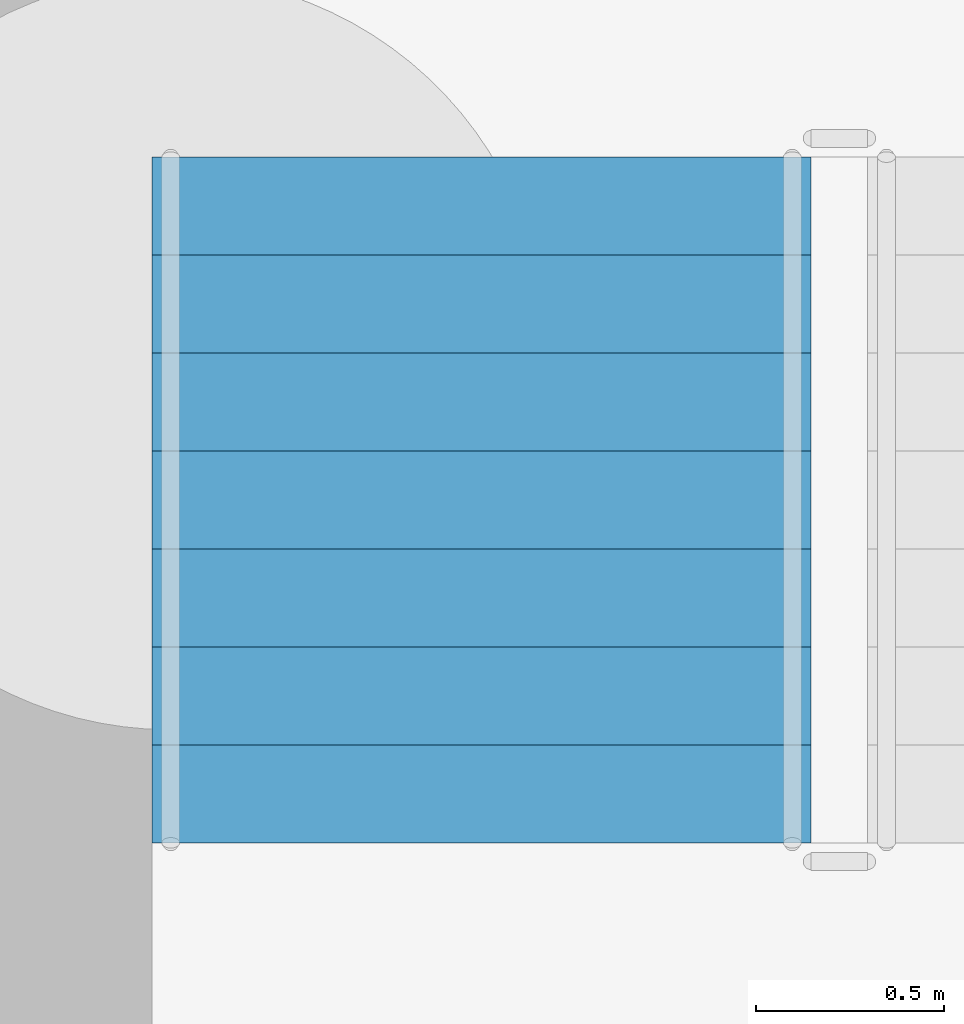
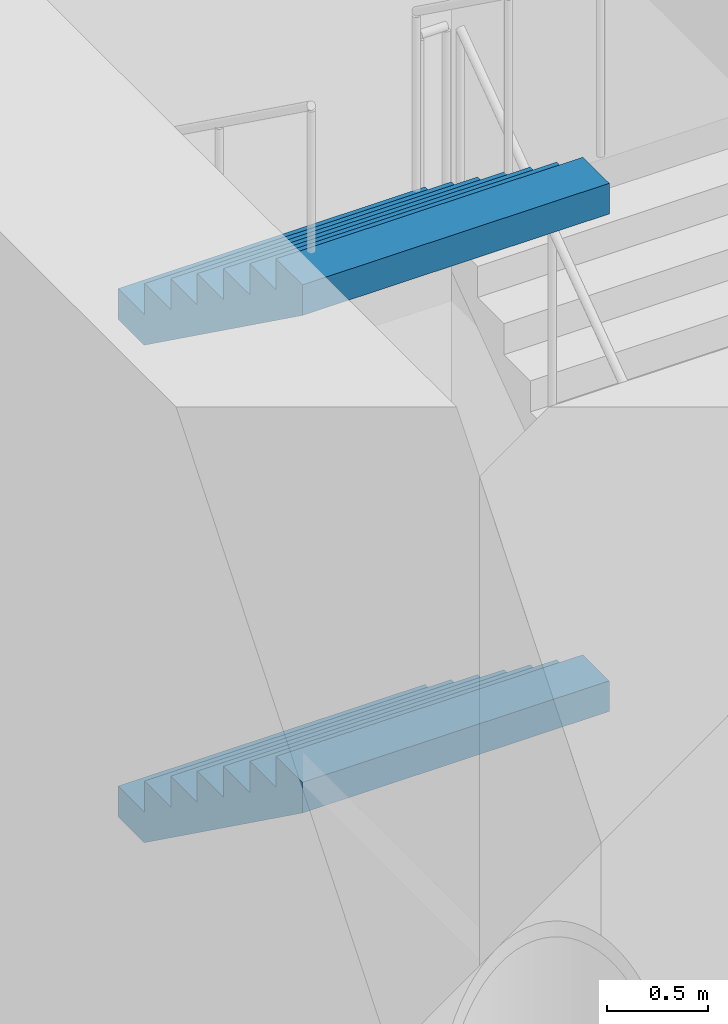
# One storey, part 58 of 75: 2 stair flights, 1 element without a shape of its own.
"""IFC4 building model written with IfcOpenShell, lengths in metres."""

from ifc_helpers import new_model, si_unit, direction, frame, origin, place, context, subcontext, project, spatial, faceted_brep, material, type_object, element, aggregate, save


model = new_model("IFC4")

# Units and contexts
model_context = context("Model", 3, precision=1e-05, world=origin(), true_north=direction((0.0, 1.0)))
body_context = subcontext(model_context, "Body", "Model", "MODEL_VIEW")
ifc_project = project(units=[si_unit("LENGTHUNIT", "METRE"), si_unit("AREAUNIT", "SQUARE_METRE"), si_unit("VOLUMEUNIT", "CUBIC_METRE"), si_unit("PLANEANGLEUNIT", "RADIAN"), si_unit("MASSUNIT", "GRAM", prefix="KILO")], contexts=[model_context])

# Site, building, storey
site_placement = place(None, origin())
site = spatial("IfcSite", under=ifc_project, at=site_placement, CompositionType="ELEMENT")
building_placement = place(site_placement, origin())
building = spatial("IfcBuilding", under=site, at=building_placement, Name="Ipe Terrace Towers", CompositionType="ELEMENT")
storey_placement = place(building_placement, origin())
storey = spatial("IfcBuildingStorey", under=building, at=storey_placement, Name="L00", CompositionType="ELEMENT", Elevation=0.0)

# Stair, stair flights
ifc_material_1 = material(Name="Concrete C30/37", Category="concrete")
stair_type = type_object("IfcStairType", Name="Protected exit stair", PredefinedType="HALF_TURN_STAIR", material=ifc_material_1)
stair_placement = place(storey_placement, origin())
stair = element("IfcStair", 1, at=stair_placement, inside=storey, type_object=stair_type, Name="L00 Exit stair T2-C1", PredefinedType="HALF_TURN_STAIR")
ifc_material_2 = material(Name="Concrete C30/37", Category="concrete")
stair_flight_type = type_object("IfcStairFlightType", Name="Exit stair flight 1750", PredefinedType="STRAIGHT", material=ifc_material_2)
stair_flight_1_placement = place(storey_placement, frame((31.324951171875, 11.52001953125, 1.5), z_axis=(0.0, 0.0, 1.0), x_axis=(0.0, -1.0, 0.0)))
stair_flight_1 = element("IfcStairFlight", 2, at=stair_flight_1_placement, type_object=stair_flight_type, Name="T2-ST1 flight 2", NumberOfRisers=8, NumberOfTreads=7, PredefinedType="STRAIGHT", RiserHeight=0.1875, TreadLength=0.26, context=body_context, shape_type="Brep", body=[
    faceted_brep([(0.25634765625, -0.875, 0.0), (1.820068359375, -0.875, 1.127685546875), (1.820068359375, -0.875, 1.3125), (1.56005859375, -0.875, 1.3125), (1.56005859375, -0.875, 1.125), (1.300048828125, -0.875, 1.125), (1.300048828125, -0.875, 0.9375), (1.0400390625, -0.875, 0.9375), (1.0400390625, -0.875, 0.75), (0.780029296875, -0.875, 0.75), (0.780029296875, -0.875, 0.5625), (0.52001953125, -0.875, 0.5625), (0.52001953125, -0.875, 0.375), (0.260009765625, -0.875, 0.375), (0.260009765625, -0.875, 0.1875), (0.0, -0.875, 0.1875), (0.0, -0.875, 0.0), (0.0, 0.875, 0.0), (0.0, 0.875, 0.1875), (0.260009765625, 0.875, 0.1875), (0.260009765625, 0.875, 0.375), (0.52001953125, 0.875, 0.375), (0.52001953125, 0.875, 0.5625), (0.780029296875, 0.875, 0.5625), (0.780029296875, 0.875, 0.75), (1.0400390625, 0.875, 0.75), (1.0400390625, 0.875, 0.9375), (1.300048828125, 0.875, 0.9375), (1.300048828125, 0.875, 1.125), (1.56005859375, 0.875, 1.125), (1.56005859375, 0.875, 1.3125), (1.820068359375, 0.875, 1.3125), (1.820068359375, 0.875, 1.127685546875), (0.25634765625, 0.875, 0.0), (0.0, -0.300048828125, 0.1875), (0.0, -0.1201171875, 0.1875), (0.0, -0.06005859375, 0.1875), (0.0, -0.030029296875, 0.1875), (0.0, -0.010009765625, 0.1875), (0.0, 0.0, 0.1875), (0.0, 0.010009765625, 0.1875), (0.0, 0.030029296875, 0.1875), (0.0, 0.06005859375, 0.1875), (0.0, 0.1201171875, 0.1875), (0.0, 0.300048828125, 0.1875), (0.0, 0.300048828125, 0.0), (0.0, 0.1201171875, 0.0), (0.0, 0.06005859375, 0.0), (0.0, 0.030029296875, 0.0), (0.0, 0.010009765625, 0.0), (0.0, 0.0, 0.0), (0.0, -0.010009765625, 0.0), (0.0, -0.030029296875, 0.0), (0.0, -0.06005859375, 0.0), (0.0, -0.1201171875, 0.0), (0.0, -0.300048828125, 0.0), (0.260009765625, -0.300048828125, 0.1875), (0.260009765625, -0.1201171875, 0.1875), (0.260009765625, -0.06005859375, 0.1875), (0.260009765625, -0.030029296875, 0.1875), (0.260009765625, -0.010009765625, 0.1875), (0.260009765625, 0.0, 0.1875), (0.260009765625, 0.010009765625, 0.1875), (0.260009765625, 0.030029296875, 0.1875), (0.260009765625, 0.06005859375, 0.1875), (0.260009765625, 0.1201171875, 0.1875), (0.260009765625, 0.300048828125, 0.1875), (0.260009765625, -0.300048828125, 0.375), (0.260009765625, -0.1201171875, 0.375), (0.260009765625, -0.06005859375, 0.375), (0.260009765625, -0.030029296875, 0.375), (0.260009765625, -0.010009765625, 0.375), (0.260009765625, 0.0, 0.375), (0.260009765625, 0.010009765625, 0.375), (0.260009765625, 0.030029296875, 0.375), (0.260009765625, 0.06005859375, 0.375), (0.260009765625, 0.1201171875, 0.375), (0.260009765625, 0.300048828125, 0.375), (0.52001953125, -0.300048828125, 0.375), (0.52001953125, -0.1201171875, 0.375), (0.52001953125, -0.06005859375, 0.375), (0.52001953125, -0.030029296875, 0.375), (0.52001953125, -0.010009765625, 0.375), (0.52001953125, 0.0, 0.375), (0.52001953125, 0.010009765625, 0.375), (0.52001953125, 0.030029296875, 0.375), (0.52001953125, 0.06005859375, 0.375), (0.52001953125, 0.1201171875, 0.375), (0.52001953125, 0.300048828125, 0.375), (0.52001953125, -0.300048828125, 0.5625), (0.52001953125, -0.1201171875, 0.5625), (0.52001953125, -0.06005859375, 0.5625), (0.52001953125, -0.030029296875, 0.5625), (0.52001953125, -0.010009765625, 0.5625), (0.52001953125, 0.0, 0.5625), (0.52001953125, 0.010009765625, 0.5625), (0.52001953125, 0.030029296875, 0.5625), (0.52001953125, 0.06005859375, 0.5625), (0.52001953125, 0.1201171875, 0.5625), (0.52001953125, 0.300048828125, 0.5625), (0.780029296875, -0.300048828125, 0.5625), (0.780029296875, -0.1201171875, 0.5625), (0.780029296875, -0.06005859375, 0.5625), (0.780029296875, -0.030029296875, 0.5625), (0.780029296875, -0.010009765625, 0.5625), (0.780029296875, 0.0, 0.5625), (0.780029296875, 0.010009765625, 0.5625), (0.780029296875, 0.030029296875, 0.5625), (0.780029296875, 0.06005859375, 0.5625), (0.780029296875, 0.1201171875, 0.5625), (0.780029296875, 0.300048828125, 0.5625), (0.780029296875, -0.300048828125, 0.75), (0.780029296875, -0.1201171875, 0.75), (0.780029296875, -0.06005859375, 0.75), (0.780029296875, -0.030029296875, 0.75), (0.780029296875, -0.010009765625, 0.75), (0.780029296875, 0.0, 0.75), (0.780029296875, 0.010009765625, 0.75), (0.780029296875, 0.030029296875, 0.75), (0.780029296875, 0.06005859375, 0.75), (0.780029296875, 0.1201171875, 0.75), (0.780029296875, 0.300048828125, 0.75), (1.0400390625, -0.300048828125, 0.75), (1.0400390625, -0.1201171875, 0.75), (1.0400390625, -0.06005859375, 0.75), (1.0400390625, -0.030029296875, 0.75), (1.0400390625, -0.010009765625, 0.75), (1.0400390625, 0.0, 0.75), (1.0400390625, 0.010009765625, 0.75), (1.0400390625, 0.030029296875, 0.75), (1.0400390625, 0.06005859375, 0.75), (1.0400390625, 0.1201171875, 0.75), (1.0400390625, 0.300048828125, 0.75), (1.0400390625, -0.300048828125, 0.9375), (1.0400390625, -0.1201171875, 0.9375), (1.0400390625, -0.06005859375, 0.9375), (1.0400390625, -0.030029296875, 0.9375), (1.0400390625, -0.010009765625, 0.9375), (1.0400390625, 0.0, 0.9375), (1.0400390625, 0.010009765625, 0.9375), (1.0400390625, 0.030029296875, 0.9375), (1.0400390625, 0.06005859375, 0.9375), (1.0400390625, 0.1201171875, 0.9375), (1.0400390625, 0.300048828125, 0.9375), (1.300048828125, -0.300048828125, 0.9375), (1.300048828125, -0.1201171875, 0.9375), (1.300048828125, -0.06005859375, 0.9375), (1.300048828125, -0.030029296875, 0.9375), (1.300048828125, -0.010009765625, 0.9375), (1.300048828125, 0.0, 0.9375), (1.300048828125, 0.010009765625, 0.9375), (1.300048828125, 0.030029296875, 0.9375), (1.300048828125, 0.06005859375, 0.9375), (1.300048828125, 0.1201171875, 0.9375), (1.300048828125, 0.300048828125, 0.9375), (1.300048828125, -0.300048828125, 1.125), (1.300048828125, -0.1201171875, 1.125), (1.300048828125, -0.06005859375, 1.125), (1.300048828125, -0.030029296875, 1.125), (1.300048828125, -0.010009765625, 1.125), (1.300048828125, 0.0, 1.125), (1.300048828125, 0.010009765625, 1.125), (1.300048828125, 0.030029296875, 1.125), (1.300048828125, 0.06005859375, 1.125), (1.300048828125, 0.1201171875, 1.125), (1.300048828125, 0.300048828125, 1.125), (1.56005859375, -0.300048828125, 1.125), (1.56005859375, -0.1201171875, 1.125), (1.56005859375, -0.06005859375, 1.125), (1.56005859375, -0.030029296875, 1.125), (1.56005859375, -0.010009765625, 1.125), (1.56005859375, 0.0, 1.125), (1.56005859375, 0.010009765625, 1.125), (1.56005859375, 0.030029296875, 1.125), (1.56005859375, 0.06005859375, 1.125), (1.56005859375, 0.1201171875, 1.125), (1.56005859375, 0.300048828125, 1.125), (1.56005859375, -0.300048828125, 1.3125), (1.56005859375, -0.1201171875, 1.3125), (1.56005859375, -0.06005859375, 1.3125), (1.56005859375, -0.030029296875, 1.3125), (1.56005859375, -0.010009765625, 1.3125), (1.56005859375, 0.0, 1.3125), (1.56005859375, 0.010009765625, 1.3125), (1.56005859375, 0.030029296875, 1.3125), (1.56005859375, 0.06005859375, 1.3125), (1.56005859375, 0.1201171875, 1.3125), (1.56005859375, 0.300048828125, 1.3125), (1.820068359375, -0.300048828125, 1.3125), (1.820068359375, -0.1201171875, 1.3125), (1.820068359375, -0.06005859375, 1.3125), (1.820068359375, -0.030029296875, 1.3125), (1.820068359375, -0.010009765625, 1.3125), (1.820068359375, 0.0, 1.3125), (1.820068359375, 0.010009765625, 1.3125), (1.820068359375, 0.030029296875, 1.3125), (1.820068359375, 0.06005859375, 1.3125), (1.820068359375, 0.1201171875, 1.3125), (1.820068359375, 0.300048828125, 1.3125), (1.820068359375, -0.300048828125, 1.127685546875), (1.820068359375, -0.1201171875, 1.127685546875), (1.820068359375, -0.06005859375, 1.127685546875), (1.820068359375, -0.030029296875, 1.127685546875), (1.820068359375, -0.010009765625, 1.127685546875), (1.820068359375, 0.0, 1.127685546875), (1.820068359375, 0.010009765625, 1.127685546875), (1.820068359375, 0.030029296875, 1.127685546875), (1.820068359375, 0.06005859375, 1.127685546875), (1.820068359375, 0.1201171875, 1.127685546875), (1.820068359375, 0.300048828125, 1.127685546875), (0.25634765625, -0.300048828125, 0.0), (0.25634765625, -0.1201171875, 0.0), (0.25634765625, -0.06005859375, 0.0), (0.25634765625, -0.030029296875, 0.0), (0.25634765625, -0.010009765625, 0.0), (0.25634765625, 0.0, 0.0), (0.25634765625, 0.010009765625, 0.0), (0.25634765625, 0.030029296875, 0.0), (0.25634765625, 0.06005859375, 0.0), (0.25634765625, 0.1201171875, 0.0), (0.25634765625, 0.300048828125, 0.0)], [[[0, 1, 2, 3, 4, 5, 6, 7, 8, 9, 10, 11, 12, 13, 14, 15, 16]], [[17, 18, 19, 20, 21, 22, 23, 24, 25, 26, 27, 28, 29, 30, 31, 32, 33]], [[15, 34, 35, 36, 37, 38, 39, 40, 41, 42, 43, 44, 18, 17, 45, 46, 47, 48, 49, 50, 51, 52, 53, 54, 55, 16]], [[14, 56, 57, 58, 59, 60, 61, 62, 63, 64, 65, 66, 19, 18, 44, 43, 42, 41, 40, 39, 38, 37, 36, 35, 34, 15]], [[13, 67, 68, 69, 70, 71, 72, 73, 74, 75, 76, 77, 20, 19, 66, 65, 64, 63, 62, 61, 60, 59, 58, 57, 56, 14]], [[12, 78, 79, 80, 81, 82, 83, 84, 85, 86, 87, 88, 21, 20, 77, 76, 75, 74, 73, 72, 71, 70, 69, 68, 67, 13]], [[11, 89, 90, 91, 92, 93, 94, 95, 96, 97, 98, 99, 22, 21, 88, 87, 86, 85, 84, 83, 82, 81, 80, 79, 78, 12]], [[10, 100, 101, 102, 103, 104, 105, 106, 107, 108, 109, 110, 23, 22, 99, 98, 97, 96, 95, 94, 93, 92, 91, 90, 89, 11]], [[9, 111, 112, 113, 114, 115, 116, 117, 118, 119, 120, 121, 24, 23, 110, 109, 108, 107, 106, 105, 104, 103, 102, 101, 100, 10]], [[8, 122, 123, 124, 125, 126, 127, 128, 129, 130, 131, 132, 25, 24, 121, 120, 119, 118, 117, 116, 115, 114, 113, 112, 111, 9]], [[7, 133, 134, 135, 136, 137, 138, 139, 140, 141, 142, 143, 26, 25, 132, 131, 130, 129, 128, 127, 126, 125, 124, 123, 122, 8]], [[6, 144, 145, 146, 147, 148, 149, 150, 151, 152, 153, 154, 27, 26, 143, 142, 141, 140, 139, 138, 137, 136, 135, 134, 133, 7]], [[5, 155, 156, 157, 158, 159, 160, 161, 162, 163, 164, 165, 28, 27, 154, 153, 152, 151, 150, 149, 148, 147, 146, 145, 144, 6]], [[4, 166, 167, 168, 169, 170, 171, 172, 173, 174, 175, 176, 29, 28, 165, 164, 163, 162, 161, 160, 159, 158, 157, 156, 155, 5]], [[3, 177, 178, 179, 180, 181, 182, 183, 184, 185, 186, 187, 30, 29, 176, 175, 174, 173, 172, 171, 170, 169, 168, 167, 166, 4]], [[2, 188, 189, 190, 191, 192, 193, 194, 195, 196, 197, 198, 31, 30, 187, 186, 185, 184, 183, 182, 181, 180, 179, 178, 177, 3]], [[1, 199, 200, 201, 202, 203, 204, 205, 206, 207, 208, 209, 32, 31, 198, 197, 196, 195, 194, 193, 192, 191, 190, 189, 188, 2]], [[0, 210, 211, 212, 213, 214, 215, 216, 217, 218, 219, 220, 33, 32, 209, 208, 207, 206, 205, 204, 203, 202, 201, 200, 199, 1]], [[16, 55, 54, 53, 52, 51, 50, 49, 48, 47, 46, 45, 17, 33, 220, 219, 218, 217, 216, 215, 214, 213, 212, 211, 210, 0]]]),
])
stair_flight_2_placement = place(storey_placement, frame((31.324951171875, 11.52001953125, 4.5), z_axis=(0.0, 0.0, 1.0), x_axis=(0.0, -1.0, 0.0)))
stair_flight_2 = element("IfcStairFlight", 3, at=stair_flight_2_placement, type_object=stair_flight_type, Name="T2-ST1 flight 4", NumberOfRisers=8, NumberOfTreads=7, PredefinedType="STRAIGHT", RiserHeight=0.1875, TreadLength=0.26, context=body_context, shape_type="Brep", body=[
    faceted_brep([(0.25634765625, -0.875, 0.0), (1.820068359375, -0.875, 1.127685546875), (1.820068359375, -0.875, 1.3125), (1.56005859375, -0.875, 1.3125), (1.56005859375, -0.875, 1.125), (1.300048828125, -0.875, 1.125), (1.300048828125, -0.875, 0.9375), (1.0400390625, -0.875, 0.9375), (1.0400390625, -0.875, 0.75), (0.780029296875, -0.875, 0.75), (0.780029296875, -0.875, 0.5625), (0.52001953125, -0.875, 0.5625), (0.52001953125, -0.875, 0.375), (0.260009765625, -0.875, 0.375), (0.260009765625, -0.875, 0.1875), (0.0, -0.875, 0.1875), (0.0, -0.875, 0.0), (0.0, 0.875, 0.0), (0.0, 0.875, 0.1875), (0.260009765625, 0.875, 0.1875), (0.260009765625, 0.875, 0.375), (0.52001953125, 0.875, 0.375), (0.52001953125, 0.875, 0.5625), (0.780029296875, 0.875, 0.5625), (0.780029296875, 0.875, 0.75), (1.0400390625, 0.875, 0.75), (1.0400390625, 0.875, 0.9375), (1.300048828125, 0.875, 0.9375), (1.300048828125, 0.875, 1.125), (1.56005859375, 0.875, 1.125), (1.56005859375, 0.875, 1.3125), (1.820068359375, 0.875, 1.3125), (1.820068359375, 0.875, 1.127685546875), (0.25634765625, 0.875, 0.0), (0.0, -0.300048828125, 0.1875), (0.0, -0.1201171875, 0.1875), (0.0, -0.06005859375, 0.1875), (0.0, -0.030029296875, 0.1875), (0.0, -0.010009765625, 0.1875), (0.0, 0.0, 0.1875), (0.0, 0.010009765625, 0.1875), (0.0, 0.030029296875, 0.1875), (0.0, 0.06005859375, 0.1875), (0.0, 0.1201171875, 0.1875), (0.0, 0.300048828125, 0.1875), (0.0, 0.300048828125, 0.0), (0.0, 0.1201171875, 0.0), (0.0, 0.06005859375, 0.0), (0.0, 0.030029296875, 0.0), (0.0, 0.010009765625, 0.0), (0.0, 0.0, 0.0), (0.0, -0.010009765625, 0.0), (0.0, -0.030029296875, 0.0), (0.0, -0.06005859375, 0.0), (0.0, -0.1201171875, 0.0), (0.0, -0.300048828125, 0.0), (0.260009765625, -0.300048828125, 0.1875), (0.260009765625, -0.1201171875, 0.1875), (0.260009765625, -0.06005859375, 0.1875), (0.260009765625, -0.030029296875, 0.1875), (0.260009765625, -0.010009765625, 0.1875), (0.260009765625, 0.0, 0.1875), (0.260009765625, 0.010009765625, 0.1875), (0.260009765625, 0.030029296875, 0.1875), (0.260009765625, 0.06005859375, 0.1875), (0.260009765625, 0.1201171875, 0.1875), (0.260009765625, 0.300048828125, 0.1875), (0.260009765625, -0.300048828125, 0.375), (0.260009765625, -0.1201171875, 0.375), (0.260009765625, -0.06005859375, 0.375), (0.260009765625, -0.030029296875, 0.375), (0.260009765625, -0.010009765625, 0.375), (0.260009765625, 0.0, 0.375), (0.260009765625, 0.010009765625, 0.375), (0.260009765625, 0.030029296875, 0.375), (0.260009765625, 0.06005859375, 0.375), (0.260009765625, 0.1201171875, 0.375), (0.260009765625, 0.300048828125, 0.375), (0.52001953125, -0.300048828125, 0.375), (0.52001953125, -0.1201171875, 0.375), (0.52001953125, -0.06005859375, 0.375), (0.52001953125, -0.030029296875, 0.375), (0.52001953125, -0.010009765625, 0.375), (0.52001953125, 0.0, 0.375), (0.52001953125, 0.010009765625, 0.375), (0.52001953125, 0.030029296875, 0.375), (0.52001953125, 0.06005859375, 0.375), (0.52001953125, 0.1201171875, 0.375), (0.52001953125, 0.300048828125, 0.375), (0.52001953125, -0.300048828125, 0.5625), (0.52001953125, -0.1201171875, 0.5625), (0.52001953125, -0.06005859375, 0.5625), (0.52001953125, -0.030029296875, 0.5625), (0.52001953125, -0.010009765625, 0.5625), (0.52001953125, 0.0, 0.5625), (0.52001953125, 0.010009765625, 0.5625), (0.52001953125, 0.030029296875, 0.5625), (0.52001953125, 0.06005859375, 0.5625), (0.52001953125, 0.1201171875, 0.5625), (0.52001953125, 0.300048828125, 0.5625), (0.780029296875, -0.300048828125, 0.5625), (0.780029296875, -0.1201171875, 0.5625), (0.780029296875, -0.06005859375, 0.5625), (0.780029296875, -0.030029296875, 0.5625), (0.780029296875, -0.010009765625, 0.5625), (0.780029296875, 0.0, 0.5625), (0.780029296875, 0.010009765625, 0.5625), (0.780029296875, 0.030029296875, 0.5625), (0.780029296875, 0.06005859375, 0.5625), (0.780029296875, 0.1201171875, 0.5625), (0.780029296875, 0.300048828125, 0.5625), (0.780029296875, -0.300048828125, 0.75), (0.780029296875, -0.1201171875, 0.75), (0.780029296875, -0.06005859375, 0.75), (0.780029296875, -0.030029296875, 0.75), (0.780029296875, -0.010009765625, 0.75), (0.780029296875, 0.0, 0.75), (0.780029296875, 0.010009765625, 0.75), (0.780029296875, 0.030029296875, 0.75), (0.780029296875, 0.06005859375, 0.75), (0.780029296875, 0.1201171875, 0.75), (0.780029296875, 0.300048828125, 0.75), (1.0400390625, -0.300048828125, 0.75), (1.0400390625, -0.1201171875, 0.75), (1.0400390625, -0.06005859375, 0.75), (1.0400390625, -0.030029296875, 0.75), (1.0400390625, -0.010009765625, 0.75), (1.0400390625, 0.0, 0.75), (1.0400390625, 0.010009765625, 0.75), (1.0400390625, 0.030029296875, 0.75), (1.0400390625, 0.06005859375, 0.75), (1.0400390625, 0.1201171875, 0.75), (1.0400390625, 0.300048828125, 0.75), (1.0400390625, -0.300048828125, 0.9375), (1.0400390625, -0.1201171875, 0.9375), (1.0400390625, -0.06005859375, 0.9375), (1.0400390625, -0.030029296875, 0.9375), (1.0400390625, -0.010009765625, 0.9375), (1.0400390625, 0.0, 0.9375), (1.0400390625, 0.010009765625, 0.9375), (1.0400390625, 0.030029296875, 0.9375), (1.0400390625, 0.06005859375, 0.9375), (1.0400390625, 0.1201171875, 0.9375), (1.0400390625, 0.300048828125, 0.9375), (1.300048828125, -0.300048828125, 0.9375), (1.300048828125, -0.1201171875, 0.9375), (1.300048828125, -0.06005859375, 0.9375), (1.300048828125, -0.030029296875, 0.9375), (1.300048828125, -0.010009765625, 0.9375), (1.300048828125, 0.0, 0.9375), (1.300048828125, 0.010009765625, 0.9375), (1.300048828125, 0.030029296875, 0.9375), (1.300048828125, 0.06005859375, 0.9375), (1.300048828125, 0.1201171875, 0.9375), (1.300048828125, 0.300048828125, 0.9375), (1.300048828125, -0.300048828125, 1.125), (1.300048828125, -0.1201171875, 1.125), (1.300048828125, -0.06005859375, 1.125), (1.300048828125, -0.030029296875, 1.125), (1.300048828125, -0.010009765625, 1.125), (1.300048828125, 0.0, 1.125), (1.300048828125, 0.010009765625, 1.125), (1.300048828125, 0.030029296875, 1.125), (1.300048828125, 0.06005859375, 1.125), (1.300048828125, 0.1201171875, 1.125), (1.300048828125, 0.300048828125, 1.125), (1.56005859375, -0.300048828125, 1.125), (1.56005859375, -0.1201171875, 1.125), (1.56005859375, -0.06005859375, 1.125), (1.56005859375, -0.030029296875, 1.125), (1.56005859375, -0.010009765625, 1.125), (1.56005859375, 0.0, 1.125), (1.56005859375, 0.010009765625, 1.125), (1.56005859375, 0.030029296875, 1.125), (1.56005859375, 0.06005859375, 1.125), (1.56005859375, 0.1201171875, 1.125), (1.56005859375, 0.300048828125, 1.125), (1.56005859375, -0.300048828125, 1.3125), (1.56005859375, -0.1201171875, 1.3125), (1.56005859375, -0.06005859375, 1.3125), (1.56005859375, -0.030029296875, 1.3125), (1.56005859375, -0.010009765625, 1.3125), (1.56005859375, 0.0, 1.3125), (1.56005859375, 0.010009765625, 1.3125), (1.56005859375, 0.030029296875, 1.3125), (1.56005859375, 0.06005859375, 1.3125), (1.56005859375, 0.1201171875, 1.3125), (1.56005859375, 0.300048828125, 1.3125), (1.820068359375, -0.300048828125, 1.3125), (1.820068359375, -0.1201171875, 1.3125), (1.820068359375, -0.06005859375, 1.3125), (1.820068359375, -0.030029296875, 1.3125), (1.820068359375, -0.010009765625, 1.3125), (1.820068359375, 0.0, 1.3125), (1.820068359375, 0.010009765625, 1.3125), (1.820068359375, 0.030029296875, 1.3125), (1.820068359375, 0.06005859375, 1.3125), (1.820068359375, 0.1201171875, 1.3125), (1.820068359375, 0.300048828125, 1.3125), (1.820068359375, -0.300048828125, 1.127685546875), (1.820068359375, -0.1201171875, 1.127685546875), (1.820068359375, -0.06005859375, 1.127685546875), (1.820068359375, -0.030029296875, 1.127685546875), (1.820068359375, -0.010009765625, 1.127685546875), (1.820068359375, 0.0, 1.127685546875), (1.820068359375, 0.010009765625, 1.127685546875), (1.820068359375, 0.030029296875, 1.127685546875), (1.820068359375, 0.06005859375, 1.127685546875), (1.820068359375, 0.1201171875, 1.127685546875), (1.820068359375, 0.300048828125, 1.127685546875), (0.25634765625, -0.300048828125, 0.0), (0.25634765625, -0.1201171875, 0.0), (0.25634765625, -0.06005859375, 0.0), (0.25634765625, -0.030029296875, 0.0), (0.25634765625, -0.010009765625, 0.0), (0.25634765625, 0.0, 0.0), (0.25634765625, 0.010009765625, 0.0), (0.25634765625, 0.030029296875, 0.0), (0.25634765625, 0.06005859375, 0.0), (0.25634765625, 0.1201171875, 0.0), (0.25634765625, 0.300048828125, 0.0)], [[[0, 1, 2, 3, 4, 5, 6, 7, 8, 9, 10, 11, 12, 13, 14, 15, 16]], [[17, 18, 19, 20, 21, 22, 23, 24, 25, 26, 27, 28, 29, 30, 31, 32, 33]], [[15, 34, 35, 36, 37, 38, 39, 40, 41, 42, 43, 44, 18, 17, 45, 46, 47, 48, 49, 50, 51, 52, 53, 54, 55, 16]], [[14, 56, 57, 58, 59, 60, 61, 62, 63, 64, 65, 66, 19, 18, 44, 43, 42, 41, 40, 39, 38, 37, 36, 35, 34, 15]], [[13, 67, 68, 69, 70, 71, 72, 73, 74, 75, 76, 77, 20, 19, 66, 65, 64, 63, 62, 61, 60, 59, 58, 57, 56, 14]], [[12, 78, 79, 80, 81, 82, 83, 84, 85, 86, 87, 88, 21, 20, 77, 76, 75, 74, 73, 72, 71, 70, 69, 68, 67, 13]], [[11, 89, 90, 91, 92, 93, 94, 95, 96, 97, 98, 99, 22, 21, 88, 87, 86, 85, 84, 83, 82, 81, 80, 79, 78, 12]], [[10, 100, 101, 102, 103, 104, 105, 106, 107, 108, 109, 110, 23, 22, 99, 98, 97, 96, 95, 94, 93, 92, 91, 90, 89, 11]], [[9, 111, 112, 113, 114, 115, 116, 117, 118, 119, 120, 121, 24, 23, 110, 109, 108, 107, 106, 105, 104, 103, 102, 101, 100, 10]], [[8, 122, 123, 124, 125, 126, 127, 128, 129, 130, 131, 132, 25, 24, 121, 120, 119, 118, 117, 116, 115, 114, 113, 112, 111, 9]], [[7, 133, 134, 135, 136, 137, 138, 139, 140, 141, 142, 143, 26, 25, 132, 131, 130, 129, 128, 127, 126, 125, 124, 123, 122, 8]], [[6, 144, 145, 146, 147, 148, 149, 150, 151, 152, 153, 154, 27, 26, 143, 142, 141, 140, 139, 138, 137, 136, 135, 134, 133, 7]], [[5, 155, 156, 157, 158, 159, 160, 161, 162, 163, 164, 165, 28, 27, 154, 153, 152, 151, 150, 149, 148, 147, 146, 145, 144, 6]], [[4, 166, 167, 168, 169, 170, 171, 172, 173, 174, 175, 176, 29, 28, 165, 164, 163, 162, 161, 160, 159, 158, 157, 156, 155, 5]], [[3, 177, 178, 179, 180, 181, 182, 183, 184, 185, 186, 187, 30, 29, 176, 175, 174, 173, 172, 171, 170, 169, 168, 167, 166, 4]], [[2, 188, 189, 190, 191, 192, 193, 194, 195, 196, 197, 198, 31, 30, 187, 186, 185, 184, 183, 182, 181, 180, 179, 178, 177, 3]], [[1, 199, 200, 201, 202, 203, 204, 205, 206, 207, 208, 209, 32, 31, 198, 197, 196, 195, 194, 193, 192, 191, 190, 189, 188, 2]], [[0, 210, 211, 212, 213, 214, 215, 216, 217, 218, 219, 220, 33, 32, 209, 208, 207, 206, 205, 204, 203, 202, 201, 200, 199, 1]], [[16, 55, 54, 53, 52, 51, 50, 49, 48, 47, 46, 45, 17, 33, 220, 219, 218, 217, 216, 215, 214, 213, 212, 211, 210, 0]]]),
])
aggregate(stair, [stair_flight_1, stair_flight_2])

save(model, "model.ifc")
